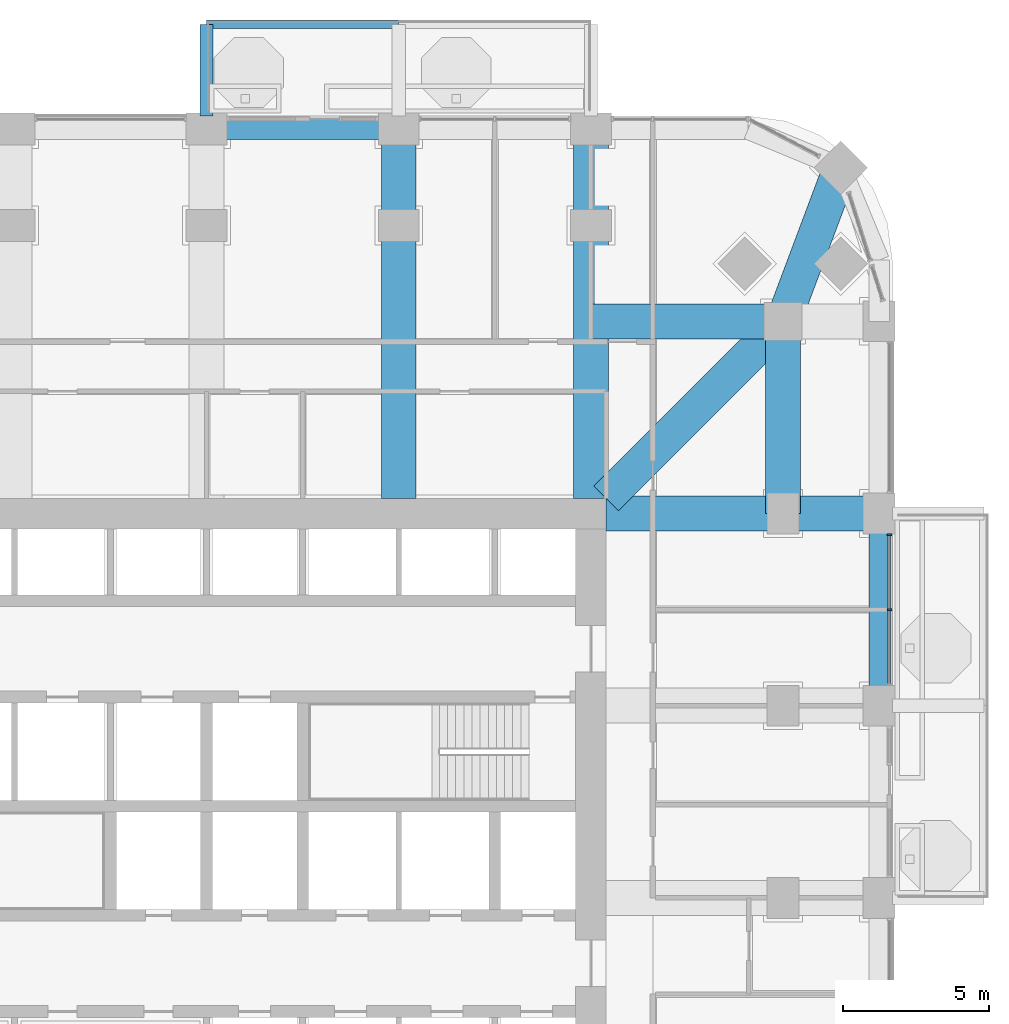
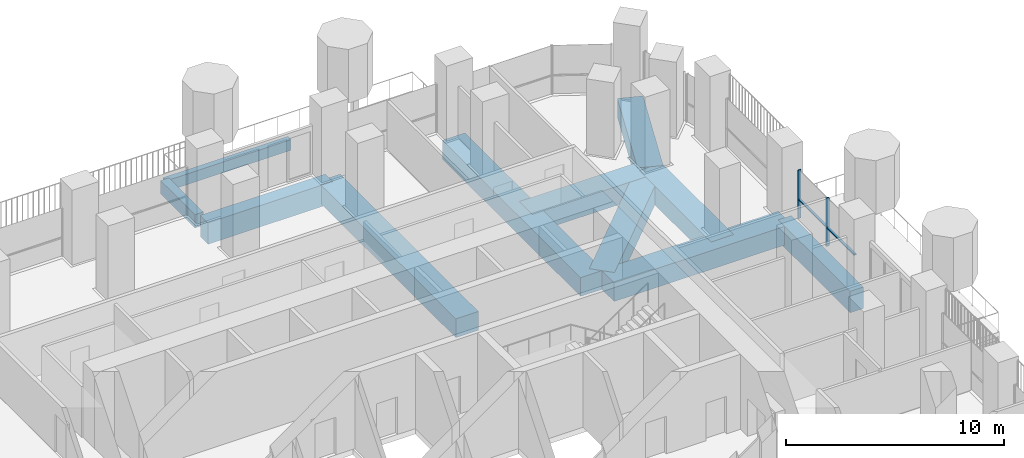
# One storey, part 7 of 22: 11 beams, 4 members, 1 element without a shape of its own.
"""IFC4 building model written with IfcOpenShell, lengths in metres."""

from ifc_helpers import new_model, si_unit, direction, frame, origin, origin_2d, place, context, subcontext, project, spatial, rectangle, extrude, material, material_profile, profile_set, type_object, element, aggregate, save


model = new_model("IFC4")

# Units and contexts
model_context = context("Model", 3, precision=1e-05, world=origin(), true_north=direction((0.0, 1.0)))
body_context = subcontext(model_context, "Body", "Model", "MODEL_VIEW")
ifc_project = project(units=[si_unit("LENGTHUNIT", "METRE"), si_unit("AREAUNIT", "SQUARE_METRE"), si_unit("VOLUMEUNIT", "CUBIC_METRE"), si_unit("PLANEANGLEUNIT", "RADIAN"), si_unit("MASSUNIT", "GRAM", prefix="KILO")], contexts=[model_context])

# Site, building, storey
site_placement = place(None, origin())
site = spatial("IfcSite", under=ifc_project, at=site_placement, CompositionType="ELEMENT")
building_placement = place(site_placement, origin())
building = spatial("IfcBuilding", under=site, at=building_placement, Name="Cobogo Forest Laboratory Tower", CompositionType="ELEMENT")
storey_placement = place(building_placement, frame((0.0, 0.0, 120.0)))
storey = spatial("IfcBuildingStorey", under=building, at=storey_placement, Name="L27", CompositionType="ELEMENT", Elevation=120.0)

# Beams
ifc_material_1 = material(Name="Concrete HA-40 (C40/50)", Category="concrete")
ifc_material_profile_1 = material_profile(ifc_material_1, rectangle(XDim=0.449951171875, YDim=0.75, at=origin_2d()), Name="RC 450x750")
ifc_profile_set_1 = profile_set([ifc_material_profile_1], Name="Concrete HA-40 (C40/50)")
beam_type_1 = type_object("IfcBeamType", Name="Balcony cantilever beam 450x750", PredefinedType="BEAM", material=ifc_profile_set_1)
beam_1_placement = place(storey_placement, frame((26.39990234375, 46.64990234375, -0.625), z_axis=(0.0, 1.0, 0.0), x_axis=(-1.0, 0.0, 0.0)))
element("IfcBeam", 1, at=beam_1_placement, inside=storey, type_object=beam_type_1, Name="CB1 BAL-N1-C1 L27", PredefinedType="BEAM", context=body_context, shape_type="SweptSolid", body=[
    extrude(rectangle(XDim=0.449951171875, YDim=0.75, at=origin_2d()), origin(), (0.0, 0.0, 1.0), 3.150146484375),
])
ifc_material_profile_2 = material_profile(ifc_material_1, rectangle(XDim=0.300048828125, YDim=0.60009765625, at=origin_2d()), Name="RC 300x600")
ifc_profile_set_2 = profile_set([ifc_material_profile_2], Name="Concrete HA-40 (C40/50)")
beam_type_2 = type_object("IfcBeamType", Name="Balcony edge beam 300x600", PredefinedType="BEAM", material=ifc_profile_set_2)
beam_2_placement = place(storey_placement, frame((26.39990234375, 49.800048828125, -0.550048828125), z_axis=(1.0, 0.0, 0.0), x_axis=(0.0, 1.0, 0.0)))
element("IfcBeam", 2, at=beam_2_placement, inside=storey, type_object=beam_type_2, Name="BB1 BAL-N1-T1 L27", PredefinedType="BEAM", context=body_context, shape_type="SweptSolid", body=[
    extrude(rectangle(XDim=0.300048828125, YDim=0.60009765625, at=origin_2d()), origin(), (0.0, 0.0, 1.0), 6.60009765625),
])
ifc_material_profile_3 = material_profile(ifc_material_1, rectangle(XDim=1.199951171875, YDim=1.050048828125, at=origin_2d()), Name="RC 1200x1050")
ifc_profile_set_3 = profile_set([ifc_material_profile_3], Name="Concrete HA-40 (C40/50)")
beam_type_3 = type_object("IfcBeamType", Name="Laboratory floor wide beam 1200x1050", PredefinedType="BEAM", material=ifc_profile_set_3)
for number, where, z_axis, x_axis, name in (
    (3, (33.0, 33.52490234375, -0.824951171875), (0.0, 1.0, 0.0), (-1.0, 0.0, 0.0), "RB1 R-6-N L27"),
    (4, (39.60009765625, 33.52490234375, -0.824951171875), (0.0, 1.0, 0.0), (-1.0, 0.0, 0.0), "RB1 R-7-N L27"),
):
    element("IfcBeam", number, at=place(storey_placement, frame(where, z_axis=z_axis, x_axis=x_axis)), inside=storey, type_object=beam_type_3, Name=name, PredefinedType="BEAM", context=body_context, shape_type="SweptSolid", body=[
        extrude(rectangle(XDim=1.199951171875, YDim=1.050048828125, at=origin_2d()), origin(), (0.0, 0.0, 1.0), 12.675048828125),
    ])
beam_3_placement = place(storey_placement, frame((40.125, 33.0, -0.824951171875), z_axis=(1.0, 0.0, 0.0), x_axis=(0.0, 1.0, 0.0)))
element("IfcBeam", 5, at=beam_3_placement, inside=storey, type_object=beam_type_3, Name="RB1 R-F-E L27", PredefinedType="BEAM", context=body_context, shape_type="SweptSolid", body=[
    extrude(rectangle(XDim=1.199951171875, YDim=1.050048828125, at=origin_2d()), origin(), (0.0, 0.0, 1.0), 9.375),
])
beam_4_placement = place(storey_placement, frame((46.199951171875, 39.60009765625, -0.824951171875), z_axis=(0.0, -1.0, 0.0), x_axis=(1.0, 0.0, 0.0)))
element("IfcBeam", 6, at=beam_4_placement, inside=storey, type_object=beam_type_3, Name="RB1 G-NE-XC L27", PredefinedType="BEAM", context=body_context, shape_type="SweptSolid", body=[
    extrude(rectangle(XDim=1.199951171875, YDim=1.050048828125, at=origin_2d()), origin(), (0.0, 0.0, 1.0), 6.60009765625),
])
beam_5_placement = place(storey_placement, frame((46.199951171875, 39.60009765625, -0.824951171875), z_axis=(-1.0, 0.0, 0.0), x_axis=(0.0, -1.0, 0.0)))
element("IfcBeam", 7, at=beam_5_placement, inside=storey, type_object=beam_type_3, Name="RB1 G-NE-YC L27", PredefinedType="BEAM", context=body_context, shape_type="SweptSolid", body=[
    extrude(rectangle(XDim=1.199951171875, YDim=1.050048828125, at=origin_2d()), origin(), (0.0, 0.0, 1.0), 6.599853515625),
])
beam_6_placement = place(storey_placement, frame((48.181884765625, 44.882080078125, -0.824951171875), z_axis=(-0.351308391925, -0.936259800356, 0.0), x_axis=(0.936259800356, -0.351308391925, 0.0)))
element("IfcBeam", 8, at=beam_6_placement, inside=storey, type_object=beam_type_3, Name="RB1 G-NE-D1 L27", PredefinedType="BEAM", context=body_context, shape_type="SweptSolid", body=[
    extrude(rectangle(XDim=1.199951171875, YDim=1.050048828125, at=origin_2d()), origin(), (0.0, 0.0, 1.0), 5.6416015625),
])
beam_7_placement = place(storey_placement, frame((46.199951171875, 39.60009765625, -0.824951171875), z_axis=(-0.707092572697, -0.70712098939, 0.0), x_axis=(0.70712098939, -0.707092572697, 0.0)))
element("IfcBeam", 9, at=beam_7_placement, inside=storey, type_object=beam_type_3, Name="RB1 G-NE-D2 L27", PredefinedType="BEAM", context=body_context, shape_type="SweptSolid", body=[
    extrude(rectangle(XDim=1.199951171875, YDim=1.050048828125, at=origin_2d()), origin(), (0.0, 0.0, 1.0), 8.591552734375),
])

# Curtain wall, members
ifc_material_2 = material(Name="Aluminium curtain wall", Category="aluminium")
curtain_wall_type = type_object("IfcCurtainWallType", Name="CW-1 unitised curtain wall, clear glazing, laboratory floors zones A and B", PredefinedType="USERDEFINED", material=ifc_material_2)
curtain_wall_placement = place(storey_placement, origin())
curtain_wall = element("IfcCurtainWall", 10, at=curtain_wall_placement, inside=storey, type_object=curtain_wall_type, Name="Curtain wall 13 L27", ObjectType="UNITISED CURTAIN WALL", PredefinedType="USERDEFINED")
ifc_material_3 = material(Name="Aluminium mullion", Category="aluminium")
ifc_material_profile_4 = material_profile(ifc_material_3, rectangle(XDim=0.06005859375, YDim=0.159912109375, at=origin_2d()), Name="AL 60x160")
ifc_profile_set_4 = profile_set([ifc_material_profile_4], Name="Aluminium mullion")
member_type_1 = type_object("IfcMemberType", Name="MU-1 aluminium mullion 60x160", PredefinedType="MULLION", material=ifc_profile_set_4)
member_1_placement = place(storey_placement, frame((49.85009765625, 29.699951171875, 0.0), z_axis=(0.0, 0.0, 1.0), x_axis=(0.0, 1.0, 0.0)))
member_1 = element("IfcMember", 11, at=member_1_placement, type_object=member_type_1, Name="CW-1 mullion 2", PredefinedType="MULLION", context=body_context, shape_type="SweptSolid", body=[
    extrude(rectangle(XDim=0.06005859375, YDim=0.159912109375, at=origin_2d()), origin(), (0.0, 0.0, 1.0), 2.699951171875),
])
member_2_placement = place(storey_placement, frame((49.85009765625, 32.27001953125, 0.0), z_axis=(0.0, 0.0, 1.0), x_axis=(0.0, 1.0, 0.0)))
member_2 = element("IfcMember", 12, at=member_2_placement, type_object=member_type_1, Name="CW-1 mullion 3", PredefinedType="MULLION", context=body_context, shape_type="SweptSolid", body=[
    extrude(rectangle(XDim=0.06005859375, YDim=0.159912109375, at=origin_2d()), origin(), (0.0, 0.0, 1.0), 2.699951171875),
])

# Beams
ifc_material_profile_5 = material_profile(ifc_material_1, rectangle(XDim=0.699951171875, YDim=1.199951171875, at=origin_2d()), Name="RC 700x1200")
ifc_profile_set_5 = profile_set([ifc_material_profile_5], Name="Concrete HA-40 (C40/50)")
beam_type_4 = type_object("IfcBeamType", Name="Perimeter edge beam 700x1200", PredefinedType="BEAM", material=ifc_profile_set_5)
for number, where, z_axis, x_axis, name in (
    (13, (49.5, 26.39990234375, -0.89990234375), (0.0, 1.0, 0.0), (-1.0, 0.0, 0.0), "EB1 E-E4 L27"),
    (14, (26.39990234375, 46.199951171875, -0.89990234375), (1.0, 0.0, 0.0), (0.0, 1.0, 0.0), "EB1 E-N3 L27"),
):
    element("IfcBeam", number, at=place(storey_placement, frame(where, z_axis=z_axis, x_axis=x_axis)), inside=storey, type_object=beam_type_4, Name=name, PredefinedType="BEAM", context=body_context, shape_type="SweptSolid", body=[
        extrude(rectangle(XDim=0.699951171875, YDim=1.199951171875, at=origin_2d()), origin(), (0.0, 0.0, 1.0), 6.60009765625),
    ])

# Member
ifc_material_4 = material(Name="Aluminium transom", Category="aluminium")
ifc_material_profile_6 = material_profile(ifc_material_4, rectangle(XDim=0.1201171875, YDim=0.06005859375, at=origin_2d()), Name="AL 60x120")
ifc_profile_set_6 = profile_set([ifc_material_profile_6], Name="Aluminium transom")
member_type_2 = type_object("IfcMemberType", Name="TR-1 aluminium transom 60x120", PredefinedType="USERDEFINED", material=ifc_profile_set_6)
member_3_placement = place(storey_placement, frame((49.85009765625, 27.159912109375, 1.050048828125), z_axis=(0.0, 1.0, 0.0), x_axis=(-1.0, 0.0, 0.0)))
member_3 = element("IfcMember", 15, at=member_3_placement, type_object=member_type_2, Name="CW-1 transom 1.1", ObjectType="TRANSOM", PredefinedType="USERDEFINED", context=body_context, shape_type="SweptSolid", body=[
    extrude(rectangle(XDim=0.1201171875, YDim=0.06005859375, at=origin_2d()), origin(), (0.0, 0.0, 1.0), 2.510009765625),
])

member_4_placement = place(storey_placement, frame((49.85009765625, 29.72998046875, 1.050048828125), z_axis=(0.0, 1.0, 0.0), x_axis=(-1.0, 0.0, 0.0)))
member_4 = element("IfcMember", 16, at=member_4_placement, type_object=member_type_2, Name="CW-1 transom 2.1", ObjectType="TRANSOM", PredefinedType="USERDEFINED", context=body_context, shape_type="SweptSolid", body=[
    extrude(rectangle(XDim=0.1201171875, YDim=0.06005859375, at=origin_2d()), origin(), (0.0, 0.0, 1.0), 2.510009765625),
])

aggregate(curtain_wall, [member_1, member_2, member_3, member_4])

save(model, "model.ifc")
